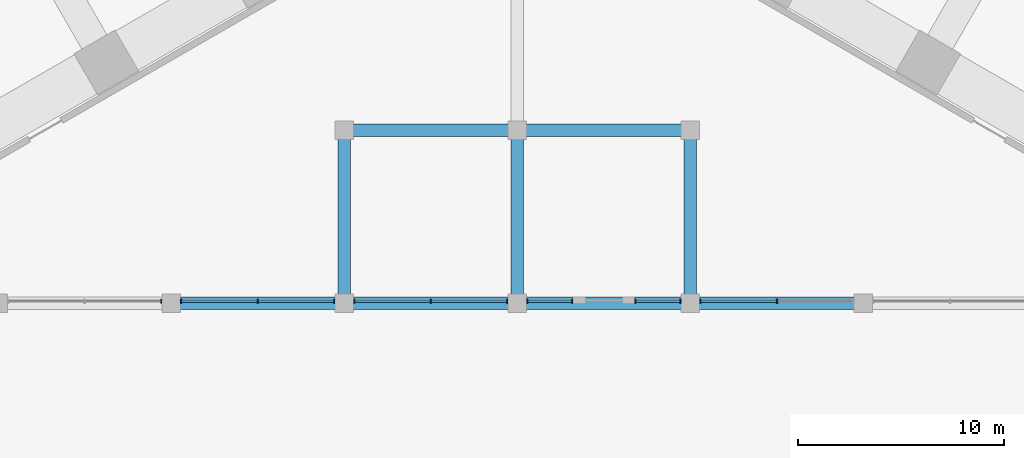
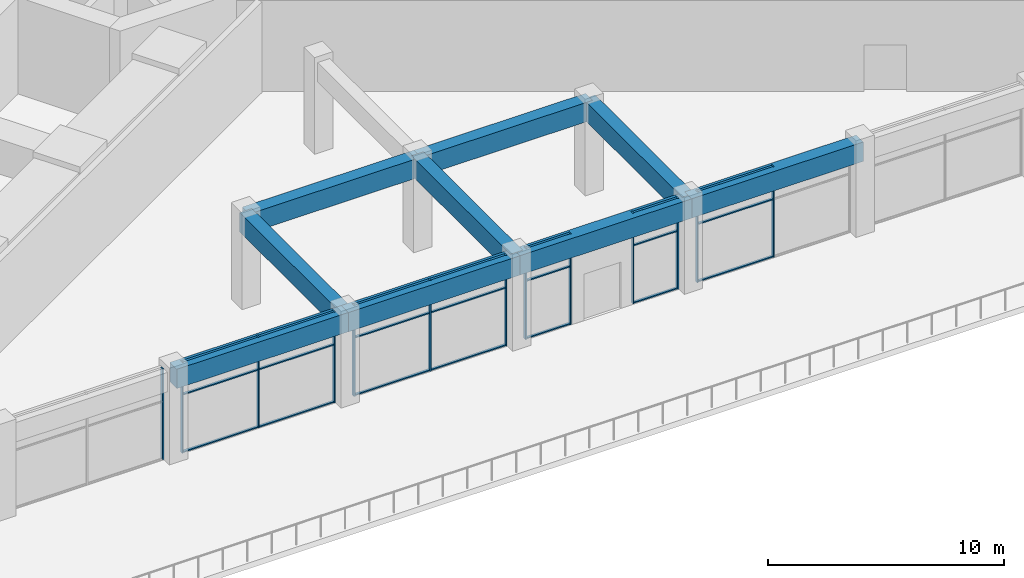
# One storey, part 5 of 36: 34 members, 9 beams, 6 elements without a shape of their own.
"""IFC4 building model written with IfcOpenShell, lengths in metres."""

from ifc_helpers import new_model, si_unit, direction, frame, origin, origin_2d, place, context, subcontext, project, spatial, rectangle, extrude, material, material_profile, profile_set, type_object, element, aggregate, save


model = new_model("IFC4")

# Units and contexts
model_context = context("Model", 3, precision=1e-05, world=origin(), true_north=direction((0.0, 1.0)))
body_context = subcontext(model_context, "Body", "Model", "MODEL_VIEW")
ifc_project = project(units=[si_unit("LENGTHUNIT", "METRE"), si_unit("AREAUNIT", "SQUARE_METRE"), si_unit("VOLUMEUNIT", "CUBIC_METRE"), si_unit("PLANEANGLEUNIT", "RADIAN"), si_unit("MASSUNIT", "GRAM", prefix="KILO")], contexts=[model_context])

# Site, building, storey
site_placement = place(None, origin())
site = spatial("IfcSite", under=ifc_project, at=site_placement, CompositionType="ELEMENT")
building_placement = place(site_placement, origin())
building = spatial("IfcBuilding", under=site, at=building_placement, Name="Impinga Residences", CompositionType="ELEMENT")
storey_placement = place(building_placement, frame((0.0, 0.0, 6.0)))
storey = spatial("IfcBuildingStorey", under=building, at=storey_placement, Name="L01", CompositionType="ELEMENT", Elevation=6.0)

# Curtain wall, members
ifc_material_1 = material(Name="Aluminium stick curtain wall", Category="aluminium")
curtain_wall_type = type_object("IfcCurtainWallType", Name="CW1 podium amenity curtain wall", PredefinedType="USERDEFINED", material=ifc_material_1)
curtain_wall_1_placement = place(storey_placement, origin())
curtain_wall_1 = element("IfcCurtainWall", 1, at=curtain_wall_1_placement, inside=storey, type_object=curtain_wall_type, Name="Curtain wall CW1 L01", ObjectType="STICK CURTAIN WALL", PredefinedType="USERDEFINED")
ifc_material_2 = material(Name="Aluminium mullion", Category="aluminium")
ifc_material_profile_1 = material_profile(ifc_material_2, rectangle(XDim=0.06005859375, YDim=0.179931640625, at=origin_2d()), Name="60x180 mullion")
ifc_profile_set_1 = profile_set([ifc_material_profile_1], Name="Aluminium mullion")
member_type_1 = type_object("IfcMemberType", Name="CW1-M mullion 60x180", PredefinedType="MULLION", material=ifc_profile_set_1)
member_1_placement = place(storey_placement, frame((12.60009765625, -33.5, 0.0), z_axis=(0.0, 0.0, 1.0), x_axis=(-1.0, 0.0, 0.0)))
member_1 = element("IfcMember", 2, at=member_1_placement, type_object=member_type_1, Name="CW1 mullion 2", PredefinedType="MULLION", context=body_context, shape_type="SweptSolid", body=[
    extrude(rectangle(XDim=0.06005859375, YDim=0.179931640625, at=origin_2d()), origin(), (0.0, 0.0, 1.0), 4.699951171875),
])
member_2_placement = place(storey_placement, frame((8.883056640625, -33.5, 0.0), z_axis=(0.0, 0.0, 1.0), x_axis=(-1.0, 0.0, 0.0)))
member_2 = element("IfcMember", 3, at=member_2_placement, type_object=member_type_1, Name="CW1 mullion 3", PredefinedType="MULLION", context=body_context, shape_type="SweptSolid", body=[
    extrude(rectangle(XDim=0.06005859375, YDim=0.179931640625, at=origin_2d()), origin(), (0.0, 0.0, 1.0), 4.699951171875),
])

curtain_wall_2_placement = place(storey_placement, origin())
curtain_wall_2 = element("IfcCurtainWall", 4, at=curtain_wall_2_placement, inside=storey, type_object=curtain_wall_type, Name="Curtain wall CW1 L01", ObjectType="STICK CURTAIN WALL", PredefinedType="USERDEFINED")
member_3_placement = place(storey_placement, frame((7.9169921875, -33.5, 0.0), z_axis=(0.0, 0.0, 1.0), x_axis=(-1.0, 0.0, 0.0)))
member_3 = element("IfcMember", 5, at=member_3_placement, type_object=member_type_1, Name="CW1 mullion 1", PredefinedType="MULLION", context=body_context, shape_type="SweptSolid", body=[
    extrude(rectangle(XDim=0.06005859375, YDim=0.179931640625, at=origin_2d()), origin(), (0.0, 0.0, 1.0), 4.699951171875),
])
member_4_placement = place(storey_placement, frame((5.72998046875, -33.5, 0.0), z_axis=(0.0, 0.0, 1.0), x_axis=(-1.0, 0.0, 0.0)))
member_4 = element("IfcMember", 6, at=member_4_placement, type_object=member_type_1, Name="CW1 mullion 2", PredefinedType="MULLION", context=body_context, shape_type="SweptSolid", body=[
    extrude(rectangle(XDim=0.06005859375, YDim=0.179931640625, at=origin_2d()), origin(), (0.0, 0.0, 1.0), 4.699951171875),
])

curtain_wall_3_placement = place(storey_placement, origin())
curtain_wall_3 = element("IfcCurtainWall", 7, at=curtain_wall_3_placement, inside=storey, type_object=curtain_wall_type, Name="Curtain wall CW1 L01", ObjectType="STICK CURTAIN WALL", PredefinedType="USERDEFINED")
member_5_placement = place(storey_placement, frame((2.669921875, -33.5, 0.0), z_axis=(0.0, 0.0, 1.0), x_axis=(-1.0, 0.0, 0.0)))
member_5 = element("IfcMember", 8, at=member_5_placement, type_object=member_type_1, Name="CW1 mullion 1", PredefinedType="MULLION", context=body_context, shape_type="SweptSolid", body=[
    extrude(rectangle(XDim=0.06005859375, YDim=0.179931640625, at=origin_2d()), origin(), (0.0, 0.0, 1.0), 4.699951171875),
])
member_6_placement = place(storey_placement, frame((0.48291015625, -33.5, 0.0), z_axis=(0.0, 0.0, 1.0), x_axis=(-1.0, 0.0, 0.0)))
member_6 = element("IfcMember", 9, at=member_6_placement, type_object=member_type_1, Name="CW1 mullion 2", PredefinedType="MULLION", context=body_context, shape_type="SweptSolid", body=[
    extrude(rectangle(XDim=0.06005859375, YDim=0.179931640625, at=origin_2d()), origin(), (0.0, 0.0, 1.0), 4.699951171875),
])

curtain_wall_4_placement = place(storey_placement, origin())
curtain_wall_4 = element("IfcCurtainWall", 10, at=curtain_wall_4_placement, inside=storey, type_object=curtain_wall_type, Name="Curtain wall CW1 L01", ObjectType="STICK CURTAIN WALL", PredefinedType="USERDEFINED")
member_7_placement = place(storey_placement, frame((-0.48291015625, -33.5, 0.0), z_axis=(0.0, 0.0, 1.0), x_axis=(-1.0, 0.0, 0.0)))
member_7 = element("IfcMember", 11, at=member_7_placement, type_object=member_type_1, Name="CW1 mullion 1", PredefinedType="MULLION", context=body_context, shape_type="SweptSolid", body=[
    extrude(rectangle(XDim=0.06005859375, YDim=0.179931640625, at=origin_2d()), origin(), (0.0, 0.0, 1.0), 4.699951171875),
])
member_8_placement = place(storey_placement, frame((-4.199951171875, -33.5, 0.0), z_axis=(0.0, 0.0, 1.0), x_axis=(-1.0, 0.0, 0.0)))
member_8 = element("IfcMember", 12, at=member_8_placement, type_object=member_type_1, Name="CW1 mullion 2", PredefinedType="MULLION", context=body_context, shape_type="SweptSolid", body=[
    extrude(rectangle(XDim=0.06005859375, YDim=0.179931640625, at=origin_2d()), origin(), (0.0, 0.0, 1.0), 4.699951171875),
])
member_9_placement = place(storey_placement, frame((-7.9169921875, -33.5, 0.0), z_axis=(0.0, 0.0, 1.0), x_axis=(-1.0, 0.0, 0.0)))
member_9 = element("IfcMember", 13, at=member_9_placement, type_object=member_type_1, Name="CW1 mullion 3", PredefinedType="MULLION", context=body_context, shape_type="SweptSolid", body=[
    extrude(rectangle(XDim=0.06005859375, YDim=0.179931640625, at=origin_2d()), origin(), (0.0, 0.0, 1.0), 4.699951171875),
])

curtain_wall_5_placement = place(storey_placement, origin())
curtain_wall_5 = element("IfcCurtainWall", 14, at=curtain_wall_5_placement, inside=storey, type_object=curtain_wall_type, Name="Curtain wall CW1 L01", ObjectType="STICK CURTAIN WALL", PredefinedType="USERDEFINED")
member_10_placement = place(storey_placement, frame((-8.883056640625, -33.5, 0.0), z_axis=(0.0, 0.0, 1.0), x_axis=(-1.0, 0.0, 0.0)))
member_10 = element("IfcMember", 15, at=member_10_placement, type_object=member_type_1, Name="CW1 mullion 1", PredefinedType="MULLION", context=body_context, shape_type="SweptSolid", body=[
    extrude(rectangle(XDim=0.06005859375, YDim=0.179931640625, at=origin_2d()), origin(), (0.0, 0.0, 1.0), 4.699951171875),
])
member_11_placement = place(storey_placement, frame((-12.60009765625, -33.5, 0.0), z_axis=(0.0, 0.0, 1.0), x_axis=(-1.0, 0.0, 0.0)))
member_11 = element("IfcMember", 16, at=member_11_placement, type_object=member_type_1, Name="CW1 mullion 2", PredefinedType="MULLION", context=body_context, shape_type="SweptSolid", body=[
    extrude(rectangle(XDim=0.06005859375, YDim=0.179931640625, at=origin_2d()), origin(), (0.0, 0.0, 1.0), 4.699951171875),
])
member_12_placement = place(storey_placement, frame((-16.31689453125, -33.5, 0.0), z_axis=(0.0, 0.0, 1.0), x_axis=(-1.0, 0.0, 0.0)))
member_12 = element("IfcMember", 17, at=member_12_placement, type_object=member_type_1, Name="CW1 mullion 3", PredefinedType="MULLION", context=body_context, shape_type="SweptSolid", body=[
    extrude(rectangle(XDim=0.06005859375, YDim=0.179931640625, at=origin_2d()), origin(), (0.0, 0.0, 1.0), 4.699951171875),
])

# Curtain wall, member
curtain_wall_6_placement = place(storey_placement, origin())
curtain_wall_6 = element("IfcCurtainWall", 18, at=curtain_wall_6_placement, inside=storey, type_object=curtain_wall_type, Name="Curtain wall CW1 L01", ObjectType="STICK CURTAIN WALL", PredefinedType="USERDEFINED")
member_13_placement = place(storey_placement, frame((-17.282958984375, -33.5, 0.0), z_axis=(0.0, 0.0, 1.0), x_axis=(-1.0, 0.0, 0.0)))
member_13 = element("IfcMember", 19, at=member_13_placement, type_object=member_type_1, Name="CW1 mullion 1", PredefinedType="MULLION", context=body_context, shape_type="SweptSolid", body=[
    extrude(rectangle(XDim=0.06005859375, YDim=0.179931640625, at=origin_2d()), origin(), (0.0, 0.0, 1.0), 4.699951171875),
])
aggregate(curtain_wall_6, [member_13])

# Member
ifc_material_3 = material(Name="Aluminium transom", Category="aluminium")
ifc_material_profile_2 = material_profile(ifc_material_3, rectangle(XDim=0.06005859375, YDim=0.1201171875, at=origin_2d()), Name="60x120 transom")
ifc_profile_set_2 = profile_set([ifc_material_profile_2], Name="Aluminium transom")
member_type_2 = type_object("IfcMemberType", Name="CW1-T transom 60x120", PredefinedType="USERDEFINED", material=ifc_profile_set_2)
member_14_placement = place(storey_placement, frame((12.570068359375, -33.5, 0.030029296875), z_axis=(-1.0, 0.0, 0.0), x_axis=(0.0, 0.0, 1.0)))
member_14 = element("IfcMember", 20, at=member_14_placement, type_object=member_type_2, Name="CW1 transom 2.1", ObjectType="TRANSOM", PredefinedType="USERDEFINED", context=body_context, shape_type="SweptSolid", body=[
    extrude(rectangle(XDim=0.06005859375, YDim=0.1201171875, at=origin_2d()), origin(), (0.0, 0.0, 1.0), 3.656982421875),
])

member_15_placement = place(storey_placement, frame((12.570068359375, -33.5, 3.0), z_axis=(-1.0, 0.0, 0.0), x_axis=(0.0, 0.0, 1.0)))
member_15 = element("IfcMember", 21, at=member_15_placement, type_object=member_type_2, Name="CW1 transom 2.2", ObjectType="TRANSOM", PredefinedType="USERDEFINED", context=body_context, shape_type="SweptSolid", body=[
    extrude(rectangle(XDim=0.06005859375, YDim=0.1201171875, at=origin_2d()), origin(), (0.0, 0.0, 1.0), 3.656982421875),
])

member_16_placement = place(storey_placement, frame((12.570068359375, -33.5, 4.669921875), z_axis=(-1.0, 0.0, 0.0), x_axis=(0.0, 0.0, 1.0)))
member_16 = element("IfcMember", 22, at=member_16_placement, type_object=member_type_2, Name="CW1 transom 2.3", ObjectType="TRANSOM", PredefinedType="USERDEFINED", context=body_context, shape_type="SweptSolid", body=[
    extrude(rectangle(XDim=0.06005859375, YDim=0.1201171875, at=origin_2d()), origin(), (0.0, 0.0, 1.0), 3.656982421875),
])

aggregate(curtain_wall_1, [member_1, member_2, member_14, member_15, member_16])

member_17_placement = place(storey_placement, frame((7.886962890625, -33.5, 0.030029296875), z_axis=(-1.0, 0.0, 0.0), x_axis=(0.0, 0.0, 1.0)))
member_17 = element("IfcMember", 23, at=member_17_placement, type_object=member_type_2, Name="CW1 transom 1.1", ObjectType="TRANSOM", PredefinedType="USERDEFINED", context=body_context, shape_type="SweptSolid", body=[
    extrude(rectangle(XDim=0.06005859375, YDim=0.1201171875, at=origin_2d()), origin(), (0.0, 0.0, 1.0), 2.126953125),
])

member_18_placement = place(storey_placement, frame((7.886962890625, -33.5, 3.0), z_axis=(-1.0, 0.0, 0.0), x_axis=(0.0, 0.0, 1.0)))
member_18 = element("IfcMember", 24, at=member_18_placement, type_object=member_type_2, Name="CW1 transom 1.2", ObjectType="TRANSOM", PredefinedType="USERDEFINED", context=body_context, shape_type="SweptSolid", body=[
    extrude(rectangle(XDim=0.06005859375, YDim=0.1201171875, at=origin_2d()), origin(), (0.0, 0.0, 1.0), 2.126953125),
])

member_19_placement = place(storey_placement, frame((7.886962890625, -33.5, 4.669921875), z_axis=(-1.0, 0.0, 0.0), x_axis=(0.0, 0.0, 1.0)))
member_19 = element("IfcMember", 25, at=member_19_placement, type_object=member_type_2, Name="CW1 transom 1.3", ObjectType="TRANSOM", PredefinedType="USERDEFINED", context=body_context, shape_type="SweptSolid", body=[
    extrude(rectangle(XDim=0.06005859375, YDim=0.1201171875, at=origin_2d()), origin(), (0.0, 0.0, 1.0), 2.126953125),
])

aggregate(curtain_wall_2, [member_3, member_4, member_17, member_18, member_19])

member_20_placement = place(storey_placement, frame((2.639892578125, -33.5, 0.030029296875), z_axis=(-1.0, 0.0, 0.0), x_axis=(0.0, 0.0, 1.0)))
member_20 = element("IfcMember", 26, at=member_20_placement, type_object=member_type_2, Name="CW1 transom 1.1", ObjectType="TRANSOM", PredefinedType="USERDEFINED", context=body_context, shape_type="SweptSolid", body=[
    extrude(rectangle(XDim=0.06005859375, YDim=0.1201171875, at=origin_2d()), origin(), (0.0, 0.0, 1.0), 2.126953125),
])

member_21_placement = place(storey_placement, frame((2.639892578125, -33.5, 3.0), z_axis=(-1.0, 0.0, 0.0), x_axis=(0.0, 0.0, 1.0)))
member_21 = element("IfcMember", 27, at=member_21_placement, type_object=member_type_2, Name="CW1 transom 1.2", ObjectType="TRANSOM", PredefinedType="USERDEFINED", context=body_context, shape_type="SweptSolid", body=[
    extrude(rectangle(XDim=0.06005859375, YDim=0.1201171875, at=origin_2d()), origin(), (0.0, 0.0, 1.0), 2.126953125),
])

member_22_placement = place(storey_placement, frame((2.639892578125, -33.5, 4.669921875), z_axis=(-1.0, 0.0, 0.0), x_axis=(0.0, 0.0, 1.0)))
member_22 = element("IfcMember", 28, at=member_22_placement, type_object=member_type_2, Name="CW1 transom 1.3", ObjectType="TRANSOM", PredefinedType="USERDEFINED", context=body_context, shape_type="SweptSolid", body=[
    extrude(rectangle(XDim=0.06005859375, YDim=0.1201171875, at=origin_2d()), origin(), (0.0, 0.0, 1.0), 2.126953125),
])

aggregate(curtain_wall_3, [member_5, member_6, member_20, member_21, member_22])

member_23_placement = place(storey_placement, frame((-0.512939453125, -33.5, 0.030029296875), z_axis=(-1.0, 0.0, 0.0), x_axis=(0.0, 0.0, 1.0)))
member_23 = element("IfcMember", 29, at=member_23_placement, type_object=member_type_2, Name="CW1 transom 1.1", ObjectType="TRANSOM", PredefinedType="USERDEFINED", context=body_context, shape_type="SweptSolid", body=[
    extrude(rectangle(XDim=0.06005859375, YDim=0.1201171875, at=origin_2d()), origin(), (0.0, 0.0, 1.0), 3.656982421875),
])

member_24_placement = place(storey_placement, frame((-0.512939453125, -33.5, 3.0), z_axis=(-1.0, 0.0, 0.0), x_axis=(0.0, 0.0, 1.0)))
member_24 = element("IfcMember", 30, at=member_24_placement, type_object=member_type_2, Name="CW1 transom 1.2", ObjectType="TRANSOM", PredefinedType="USERDEFINED", context=body_context, shape_type="SweptSolid", body=[
    extrude(rectangle(XDim=0.06005859375, YDim=0.1201171875, at=origin_2d()), origin(), (0.0, 0.0, 1.0), 3.656982421875),
])

member_25_placement = place(storey_placement, frame((-0.512939453125, -33.5, 4.669921875), z_axis=(-1.0, 0.0, 0.0), x_axis=(0.0, 0.0, 1.0)))
member_25 = element("IfcMember", 31, at=member_25_placement, type_object=member_type_2, Name="CW1 transom 1.3", ObjectType="TRANSOM", PredefinedType="USERDEFINED", context=body_context, shape_type="SweptSolid", body=[
    extrude(rectangle(XDim=0.06005859375, YDim=0.1201171875, at=origin_2d()), origin(), (0.0, 0.0, 1.0), 3.656982421875),
])

member_26_placement = place(storey_placement, frame((-4.22998046875, -33.5, 0.030029296875), z_axis=(-1.0, 0.0, 0.0), x_axis=(0.0, 0.0, 1.0)))
member_26 = element("IfcMember", 32, at=member_26_placement, type_object=member_type_2, Name="CW1 transom 2.1", ObjectType="TRANSOM", PredefinedType="USERDEFINED", context=body_context, shape_type="SweptSolid", body=[
    extrude(rectangle(XDim=0.06005859375, YDim=0.1201171875, at=origin_2d()), origin(), (0.0, 0.0, 1.0), 3.656982421875),
])

member_27_placement = place(storey_placement, frame((-4.22998046875, -33.5, 3.0), z_axis=(-1.0, 0.0, 0.0), x_axis=(0.0, 0.0, 1.0)))
member_27 = element("IfcMember", 33, at=member_27_placement, type_object=member_type_2, Name="CW1 transom 2.2", ObjectType="TRANSOM", PredefinedType="USERDEFINED", context=body_context, shape_type="SweptSolid", body=[
    extrude(rectangle(XDim=0.06005859375, YDim=0.1201171875, at=origin_2d()), origin(), (0.0, 0.0, 1.0), 3.656982421875),
])

member_28_placement = place(storey_placement, frame((-4.22998046875, -33.5, 4.669921875), z_axis=(-1.0, 0.0, 0.0), x_axis=(0.0, 0.0, 1.0)))
member_28 = element("IfcMember", 34, at=member_28_placement, type_object=member_type_2, Name="CW1 transom 2.3", ObjectType="TRANSOM", PredefinedType="USERDEFINED", context=body_context, shape_type="SweptSolid", body=[
    extrude(rectangle(XDim=0.06005859375, YDim=0.1201171875, at=origin_2d()), origin(), (0.0, 0.0, 1.0), 3.656982421875),
])

aggregate(curtain_wall_4, [member_7, member_8, member_9, member_23, member_24, member_25, member_26, member_27, member_28])

member_29_placement = place(storey_placement, frame((-8.9130859375, -33.5, 0.030029296875), z_axis=(-1.0, 0.0, 0.0), x_axis=(0.0, 0.0, 1.0)))
member_29 = element("IfcMember", 35, at=member_29_placement, type_object=member_type_2, Name="CW1 transom 1.1", ObjectType="TRANSOM", PredefinedType="USERDEFINED", context=body_context, shape_type="SweptSolid", body=[
    extrude(rectangle(XDim=0.06005859375, YDim=0.1201171875, at=origin_2d()), origin(), (0.0, 0.0, 1.0), 3.656982421875),
])

member_30_placement = place(storey_placement, frame((-8.9130859375, -33.5, 3.0), z_axis=(-1.0, 0.0, 0.0), x_axis=(0.0, 0.0, 1.0)))
member_30 = element("IfcMember", 36, at=member_30_placement, type_object=member_type_2, Name="CW1 transom 1.2", ObjectType="TRANSOM", PredefinedType="USERDEFINED", context=body_context, shape_type="SweptSolid", body=[
    extrude(rectangle(XDim=0.06005859375, YDim=0.1201171875, at=origin_2d()), origin(), (0.0, 0.0, 1.0), 3.656982421875),
])

member_31_placement = place(storey_placement, frame((-8.9130859375, -33.5, 4.669921875), z_axis=(-1.0, 0.0, 0.0), x_axis=(0.0, 0.0, 1.0)))
member_31 = element("IfcMember", 37, at=member_31_placement, type_object=member_type_2, Name="CW1 transom 1.3", ObjectType="TRANSOM", PredefinedType="USERDEFINED", context=body_context, shape_type="SweptSolid", body=[
    extrude(rectangle(XDim=0.06005859375, YDim=0.1201171875, at=origin_2d()), origin(), (0.0, 0.0, 1.0), 3.656982421875),
])

member_32_placement = place(storey_placement, frame((-12.6298828125, -33.5, 0.030029296875), z_axis=(-1.0, 0.0, 0.0), x_axis=(0.0, 0.0, 1.0)))
member_32 = element("IfcMember", 38, at=member_32_placement, type_object=member_type_2, Name="CW1 transom 2.1", ObjectType="TRANSOM", PredefinedType="USERDEFINED", context=body_context, shape_type="SweptSolid", body=[
    extrude(rectangle(XDim=0.06005859375, YDim=0.1201171875, at=origin_2d()), origin(), (0.0, 0.0, 1.0), 3.6572265625),
])

member_33_placement = place(storey_placement, frame((-12.6298828125, -33.5, 3.0), z_axis=(-1.0, 0.0, 0.0), x_axis=(0.0, 0.0, 1.0)))
member_33 = element("IfcMember", 39, at=member_33_placement, type_object=member_type_2, Name="CW1 transom 2.2", ObjectType="TRANSOM", PredefinedType="USERDEFINED", context=body_context, shape_type="SweptSolid", body=[
    extrude(rectangle(XDim=0.06005859375, YDim=0.1201171875, at=origin_2d()), origin(), (0.0, 0.0, 1.0), 3.6572265625),
])

member_34_placement = place(storey_placement, frame((-12.6298828125, -33.5, 4.669921875), z_axis=(-1.0, 0.0, 0.0), x_axis=(0.0, 0.0, 1.0)))
member_34 = element("IfcMember", 40, at=member_34_placement, type_object=member_type_2, Name="CW1 transom 2.3", ObjectType="TRANSOM", PredefinedType="USERDEFINED", context=body_context, shape_type="SweptSolid", body=[
    extrude(rectangle(XDim=0.06005859375, YDim=0.1201171875, at=origin_2d()), origin(), (0.0, 0.0, 1.0), 3.6572265625),
])

aggregate(curtain_wall_5, [member_10, member_11, member_12, member_29, member_30, member_31, member_32, member_33, member_34])

# Beams
ifc_material_4 = material(Name="Concrete C60/75", Category="concrete")
ifc_material_profile_3 = material_profile(ifc_material_4, rectangle(XDim=0.60009765625, YDim=1.0, at=origin_2d()), Name="RC 600x1000")
ifc_profile_set_3 = profile_set([ifc_material_profile_3], Name="Concrete C60/75")
beam_type = type_object("IfcBeamType", Name="PB2 600x1000 podium beam", PredefinedType="BEAM", material=ifc_profile_set_3)
beam_1_placement = place(storey_placement, frame((-16.800048828125, -33.60009765625, 4.199951171875), z_axis=(1.0, 0.0, 0.0), x_axis=(0.0, 1.0, 0.0)))
element("IfcBeam", 41, at=beam_1_placement, inside=storey, type_object=beam_type, Name="Beam PB2 B/5-6 level L02", PredefinedType="BEAM", context=body_context, shape_type="SweptSolid", body=[
    extrude(rectangle(XDim=0.60009765625, YDim=1.0, at=origin_2d()), origin(), (0.0, 0.0, 1.0), 8.400146484375),
])
for number, where, z_axis, x_axis, name in (
    (42, (-8.39990234375, -33.60009765625, 4.199951171875), (1.0, 0.0, 0.0), (0.0, 1.0, 0.0), "Beam PB2 B/6-7 level L02"),
    (43, (0.0, -33.60009765625, 4.199951171875), (1.0, 0.0, 0.0), (0.0, 1.0, 0.0), "Beam PB2 B/7-8 level L02"),
):
    element("IfcBeam", number, at=place(storey_placement, frame(where, z_axis=z_axis, x_axis=x_axis)), inside=storey, type_object=beam_type, Name=name, PredefinedType="BEAM", context=body_context, shape_type="SweptSolid", body=[
        extrude(rectangle(XDim=0.60009765625, YDim=1.0, at=origin_2d()), origin(), (0.0, 0.0, 1.0), 8.39990234375),
    ])
beam_2_placement = place(storey_placement, frame((8.39990234375, -33.60009765625, 4.199951171875), z_axis=(1.0, 0.0, 0.0), x_axis=(0.0, 1.0, 0.0)))
element("IfcBeam", 44, at=beam_2_placement, inside=storey, type_object=beam_type, Name="Beam PB2 B/8-9 level L02", PredefinedType="BEAM", context=body_context, shape_type="SweptSolid", body=[
    extrude(rectangle(XDim=0.60009765625, YDim=1.0, at=origin_2d()), origin(), (0.0, 0.0, 1.0), 8.400146484375),
])
for number, where, z_axis, x_axis, name in (
    (45, (-8.39990234375, -25.199951171875, 4.199951171875), (1.0, 0.0, 0.0), (0.0, 1.0, 0.0), "Beam PB2 C/6-7 level L02"),
    (46, (0.0, -25.199951171875, 4.199951171875), (1.0, 0.0, 0.0), (0.0, 1.0, 0.0), "Beam PB2 C/7-8 level L02"),
):
    element("IfcBeam", number, at=place(storey_placement, frame(where, z_axis=z_axis, x_axis=x_axis)), inside=storey, type_object=beam_type, Name=name, PredefinedType="BEAM", context=body_context, shape_type="SweptSolid", body=[
        extrude(rectangle(XDim=0.60009765625, YDim=1.0, at=origin_2d()), origin(), (0.0, 0.0, 1.0), 8.39990234375),
    ])
for number, where, z_axis, x_axis, name in (
    (47, (-8.39990234375, -33.60009765625, 4.199951171875), (0.0, 1.0, 0.0), (-1.0, 0.0, 0.0), "Beam PB2 6/B-C level L02"),
    (48, (0.0, -33.60009765625, 4.199951171875), (0.0, 1.0, 0.0), (-1.0, 0.0, 0.0), "Beam PB2 7/B-C level L02"),
    (49, (8.39990234375, -33.60009765625, 4.199951171875), (0.0, 1.0, 0.0), (-1.0, 0.0, 0.0), "Beam PB2 8/B-C level L02"),
):
    element("IfcBeam", number, at=place(storey_placement, frame(where, z_axis=z_axis, x_axis=x_axis)), inside=storey, type_object=beam_type, Name=name, PredefinedType="BEAM", context=body_context, shape_type="SweptSolid", body=[
        extrude(rectangle(XDim=0.60009765625, YDim=1.0, at=origin_2d()), origin(), (0.0, 0.0, 1.0), 8.400146484375),
    ])

save(model, "model.ifc")
